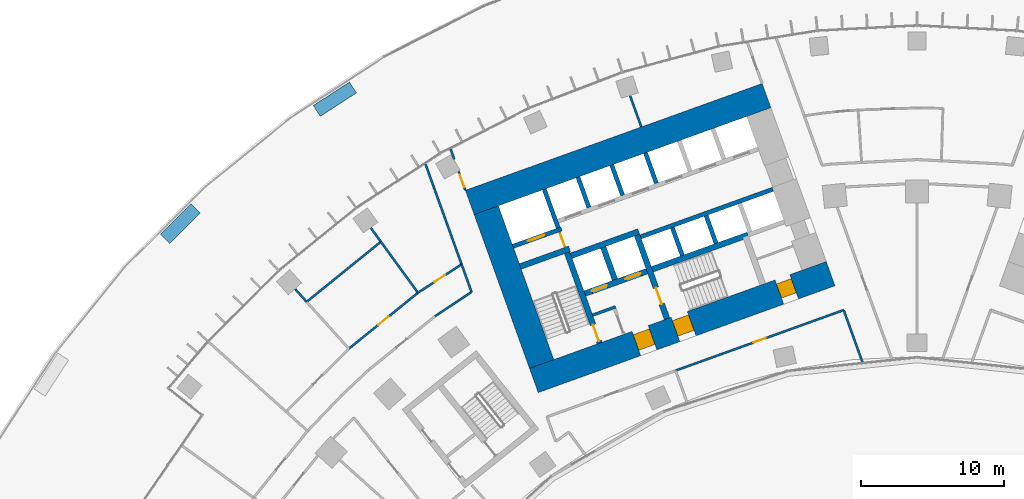
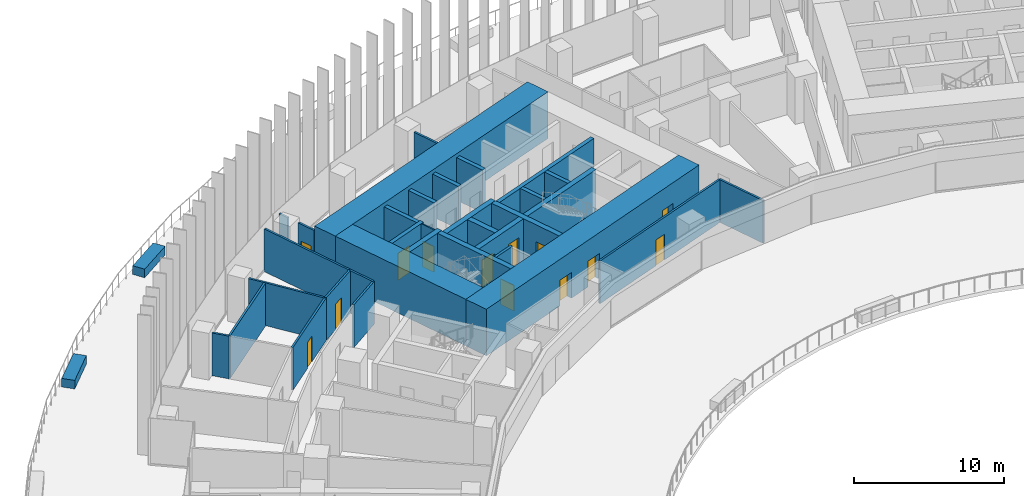
# One storey, part 16 of 24: 35 walls, 13 doors, 13 openings.
"""IFC4 building model written with IfcOpenShell, lengths in metres."""

from ifc_helpers import new_model, si_unit, direction, frame, frame_2d, origin, origin_2d, place, context, subcontext, project, spatial, rectangle, extrude, material, layer, layer_set, type_object, element, fill, save


model = new_model("IFC4")

# Units and contexts
model_context = context("Model", 3, precision=1e-05, world=origin(), true_north=direction((0.0, 1.0)))
body_context = subcontext(model_context, "Body", "Model", "MODEL_VIEW")
ifc_project = project(units=[si_unit("LENGTHUNIT", "METRE"), si_unit("AREAUNIT", "SQUARE_METRE"), si_unit("VOLUMEUNIT", "CUBIC_METRE"), si_unit("PLANEANGLEUNIT", "RADIAN"), si_unit("MASSUNIT", "GRAM", prefix="KILO")], contexts=[model_context])

# Site, building, storey
site_placement = place(None, origin())
site = spatial("IfcSite", under=ifc_project, at=site_placement, CompositionType="ELEMENT")
building_placement = place(site_placement, origin())
building = spatial("IfcBuilding", under=site, at=building_placement, Name="Stone Belt Terrace Tower", CompositionType="ELEMENT")
storey_placement = place(building_placement, frame((0.0, 0.0, 30.0)))
storey = spatial("IfcBuildingStorey", under=building, at=storey_placement, Name="L06", CompositionType="ELEMENT", Elevation=30.0)

# Wall, opening, door
ifc_material_1 = material(Name="Plasterboard partition")
ifc_layer_1 = layer(ifc_material_1, 0.10009765625)
ifc_layer_set_1 = layer_set([ifc_layer_1], Name="Core partition 100")
wall_type_1 = type_object("IfcWallType", Name="Core partition 100", PredefinedType="PARTITIONING", material=ifc_layer_set_1)
wall_1_placement = place(storey_placement, frame((-24.555908203125, 51.10400390625, 0.0), z_axis=(0.0, 0.0, 1.0), x_axis=(-0.338621735342, 0.94092258999, 0.0)))
wall_1 = element("IfcWall", 1, at=wall_1_placement, inside=storey, type_object=wall_type_1, Name="Core A wall", PredefinedType="PARTITIONING", context=body_context, shape_type="SweptSolid", body=[
    extrude(rectangle(XDim=1.14990234375, YDim=0.10009765625, at=frame_2d((0.574951171875, 0.0))), origin(), (0.0, 0.0, 1.0), 3.47998046875),
])
opening_1_placement = place(wall_1_placement, frame((0.050048828125, 0.0, 0.0)))
opening_1 = element("IfcOpeningElement", 2, at=opening_1_placement, cuts=wall_1, Name="Opening L06-C01", PredefinedType="OPENING", context=body_context, shape_type="SweptSolid", body=[
    extrude(rectangle(XDim=1.0, YDim=2.10009765625, at=frame_2d((0.5, 1.050048828125))), frame((0.0, 0.06005859375, 0.0), z_axis=(0.0, -1.0, 0.0), x_axis=(1.0, 0.0, 0.0)), (0.0, 0.0, 1.0), 0.1201171875),
])
ifc_material_2 = material(Name="Timber door leaf", Category="wood")
door_type_1 = type_object("IfcDoorType", Name="Core room door 1000", OperationType="SINGLE_SWING_LEFT", PredefinedType="DOOR", material=ifc_material_2)
door_1_placement = place(opening_1_placement, origin())
door_1 = element("IfcDoor", 3, at=door_1_placement, inside=storey, type_object=door_type_1, Name="Service lift lobby door core A", OperationType="SINGLE_SWING_LEFT", OverallHeight=2.10009765625, OverallWidth=1.0, PredefinedType="DOOR", context=body_context, shape_type="SweptSolid", body=[
    extrude(rectangle(XDim=1.0, YDim=2.10009765625, at=frame_2d((0.5, 1.050048828125))), frame((0.0, 0.02490234375, 0.0), z_axis=(0.0, -1.0, 0.0), x_axis=(1.0, 0.0, 0.0)), (0.0, 0.0, 1.0), 0.050048828125),
])
fill(opening_1, door_1)

# Wall, openings, doors
ifc_material_3 = material(Name="Concrete B80", Category="concrete")
ifc_layer_2 = layer(ifc_material_3, 1.800048828125)
ifc_layer_set_2 = layer_set([ifc_layer_2], Name="Core wall 1800 B80")
wall_type_2 = type_object("IfcWallType", Name="Core wall 1800 B80", PredefinedType="SHEAR", material=ifc_layer_set_2)
wall_2_placement = place(storey_placement, frame((-26.739501953125, 41.815673828125, 0.0), z_axis=(0.0, 0.0, 1.0), x_axis=(0.940921642213, 0.338624368902, 0.0)))
wall_2 = element("IfcWall", 4, at=wall_2_placement, inside=storey, type_object=wall_type_2, Name="Core A wall concave L06", PredefinedType="SHEAR", context=body_context, shape_type="SweptSolid", body=[
    extrude(rectangle(XDim=22.0, YDim=1.800048828125, at=frame_2d((11.0, 0.0))), origin(), (0.0, 0.0, 1.0), 3.800048828125),
])
opening_2_placement = place(wall_2_placement, frame((7.60009765625, 0.0, 0.0)))
opening_2 = element("IfcOpeningElement", 5, at=opening_2_placement, cuts=wall_2, Name="Opening L06-C05", PredefinedType="OPENING", context=body_context, shape_type="SweptSolid", body=[
    extrude(rectangle(XDim=1.199951171875, YDim=2.10009765625, at=frame_2d((0.60009765625, 1.050048828125))), frame((0.0, 0.909912109375, 0.0), z_axis=(0.0, -1.0, 0.0), x_axis=(1.0, 0.0, 0.0)), (0.0, 0.0, 1.0), 1.820068359375),
])
opening_3_placement = place(wall_2_placement, frame((10.5, 0.0, 0.0)))
opening_3 = element("IfcOpeningElement", 6, at=opening_3_placement, cuts=wall_2, Name="Opening L06-C07", PredefinedType="OPENING", context=body_context, shape_type="SweptSolid", body=[
    extrude(rectangle(XDim=1.199951171875, YDim=2.10009765625, at=frame_2d((0.60009765625, 1.050048828125))), frame((0.0, 0.909912109375, 0.0), z_axis=(0.0, -1.0, 0.0), x_axis=(1.0, 0.0, 0.0)), (0.0, 0.0, 1.0), 1.820068359375),
])
opening_4_placement = place(wall_2_placement, frame((18.199951171875, 0.0, 0.0)))
opening_4 = element("IfcOpeningElement", 7, at=opening_4_placement, cuts=wall_2, Name="Opening L06-C09", PredefinedType="OPENING", context=body_context, shape_type="SweptSolid", body=[
    extrude(rectangle(XDim=1.10009765625, YDim=2.10009765625, at=frame_2d((0.550048828125, 1.050048828125))), frame((0.0, 0.909912109375, 0.0), z_axis=(0.0, -1.0, 0.0), x_axis=(1.0, 0.0, 0.0)), (0.0, 0.0, 1.0), 1.820068359375),
])
door_type_2 = type_object("IfcDoorType", Name="Core room door 1100", OperationType="SINGLE_SWING_LEFT", PredefinedType="DOOR", material=ifc_material_2)
door_2_placement = place(opening_4_placement, origin())
door_2 = element("IfcDoor", 8, at=door_2_placement, inside=storey, type_object=door_type_2, Name="Door to Cleaner's store core A", OperationType="SINGLE_SWING_LEFT", OverallHeight=2.10009765625, OverallWidth=1.10009765625, PredefinedType="DOOR", context=body_context, shape_type="SweptSolid", body=[
    extrude(rectangle(XDim=1.10009765625, YDim=2.10009765625, at=frame_2d((0.550048828125, 1.050048828125))), frame((0.0, 0.60498046875, 0.0), z_axis=(0.0, -1.0, 0.0), x_axis=(1.0, 0.0, 0.0)), (0.0, 0.0, 1.0), 1.050048828125),
])
fill(opening_4, door_2)
ifc_material_4 = material(Name="Steel door leaf", Category="steel")
door_type_3 = type_object("IfcDoorType", Name="Fire-fighting lobby door 1200", OperationType="SINGLE_SWING_LEFT", PredefinedType="DOOR", material=ifc_material_4)
door_3_placement = place(opening_2_placement, origin())
door_3 = element("IfcDoor", 9, at=door_3_placement, inside=storey, type_object=door_type_3, Name="Fire-fighting lobby door core A", OperationType="SINGLE_SWING_LEFT", OverallHeight=2.10009765625, OverallWidth=1.199951171875, PredefinedType="DOOR", context=body_context, shape_type="SweptSolid", body=[
    extrude(rectangle(XDim=1.199951171875, YDim=2.10009765625, at=frame_2d((0.60009765625, 1.050048828125))), frame((0.0, 0.655029296875, 0.0), z_axis=(0.0, -1.0, 0.0), x_axis=(1.0, 0.0, 0.0)), (0.0, 0.0, 1.0), 1.14990234375),
])
fill(opening_2, door_3)
door_type_4 = type_object("IfcDoorType", Name="Stair door 1200", OperationType="SINGLE_SWING_LEFT", PredefinedType="DOOR", material=ifc_material_4)
door_4_placement = place(opening_3_placement, origin())
door_4 = element("IfcDoor", 10, at=door_4_placement, inside=storey, type_object=door_type_4, Name="Stair 2 exit door core A", OperationType="SINGLE_SWING_RIGHT", OverallHeight=2.10009765625, OverallWidth=1.199951171875, PredefinedType="DOOR", context=body_context, shape_type="SweptSolid", body=[
    extrude(rectangle(XDim=1.199951171875, YDim=2.10009765625, at=frame_2d((0.60009765625, 1.050048828125))), frame((0.0, 0.655029296875, 0.0), z_axis=(0.0, -1.0, 0.0), x_axis=(1.0, 0.0, 0.0)), (0.0, 0.0, 1.0), 1.14990234375),
])
fill(opening_3, door_4)

# Walls
wall_3_placement = place(storey_placement, frame((-31.20947265625, 54.23583984375, 0.0), z_axis=(0.0, 0.0, 1.0), x_axis=(0.940922914687, 0.338620833112, 0.0)))
element("IfcWall", 11, at=wall_3_placement, inside=storey, type_object=wall_type_2, Name="Core A wall convex L06", PredefinedType="SHEAR", context=body_context, shape_type="SweptSolid", body=[
    extrude(rectangle(XDim=22.000244140625, YDim=1.800048828125, at=frame_2d((11.0, 0.0))), origin(), (0.0, 0.0, 1.0), 3.800048828125),
])
wall_4_placement = place(storey_placement, frame((-26.197509765625, 42.96728515625, 0.0), z_axis=(0.0, 0.0, 1.0), x_axis=(-0.338625431531, 0.940921259788, 0.0)))
element("IfcWall", 12, at=wall_4_placement, inside=storey, type_object=wall_type_2, Name="Core A wall end_a L06", PredefinedType="SHEAR", context=body_context, shape_type="SweptSolid", body=[
    extrude(rectangle(XDim=11.400146484375, YDim=1.800048828125, at=frame_2d((5.7001953125, 0.0))), origin(), (0.0, 0.0, 1.0), 3.800048828125),
])
ifc_layer_3 = layer(ifc_material_3, 0.39990234375)
ifc_layer_set_3 = layer_set([ifc_layer_3], Name="Fire-fighting lift shaft wall 400")
wall_type_3 = type_object("IfcWallType", Name="Fire-fighting lift shaft wall 400", PredefinedType="SHEAR", material=ifc_layer_set_3)
wall_5_placement = place(storey_placement, frame((-24.130615234375, 50.512939453125, 0.0), z_axis=(0.0, 0.0, 1.0), x_axis=(0.94091168377, 0.338652038744, 0.0)))
element("IfcWall", 13, at=wall_5_placement, inside=storey, type_object=wall_type_3, Name="Core A wall", PredefinedType="SHEAR", context=body_context, shape_type="SweptSolid", body=[
    extrude(rectangle(XDim=5.000244140625, YDim=0.39990234375, at=frame_2d((2.5, 0.0))), origin(), (0.0, 0.0, 1.0), 3.47998046875),
])
wall_6_placement = place(storey_placement, frame((-21.0859375, 48.845458984375, 0.0), z_axis=(0.0, 0.0, 1.0), x_axis=(-0.338629416206, 0.940919825745, 0.0)))
element("IfcWall", 14, at=wall_6_placement, inside=storey, type_object=wall_type_3, Name="Core A wall", PredefinedType="SHEAR", context=body_context, shape_type="SweptSolid", body=[
    extrude(rectangle(XDim=2.400146484375, YDim=0.39990234375, at=frame_2d((1.2001953125, 0.0))), origin(), (0.0, 0.0, 1.0), 3.47998046875),
])

# Wall, opening, door
ifc_layer_4 = layer(ifc_material_3, 0.300048828125)
ifc_layer_set_4 = layer_set([ifc_layer_4], Name="Lift shaft wall 300")
wall_type_4 = type_object("IfcWallType", Name="Lift shaft wall 300", PredefinedType="SHEAR", material=ifc_layer_set_4)
wall_7_placement = place(storey_placement, frame((-28.195068359375, 51.17578125, 0.0), z_axis=(0.0, 0.0, 1.0), x_axis=(0.940901243567, 0.338681044427, 0.0)))
wall_7 = element("IfcWall", 15, at=wall_7_placement, inside=storey, type_object=wall_type_4, Name="Core A wall", PredefinedType="SHEAR", context=body_context, shape_type="SweptSolid", body=[
    extrude(rectangle(XDim=3.599853515625, YDim=0.300048828125, at=frame_2d((1.7998046875, 0.0))), origin(), (0.0, 0.0, 1.0), 3.47998046875),
])
opening_5_placement = place(wall_7_placement, frame((1.1201171875, 0.0, 0.0)))
opening_5 = element("IfcOpeningElement", 16, at=opening_5_placement, cuts=wall_7, Name="Opening L06-LD09", PredefinedType="OPENING", context=body_context, shape_type="SweptSolid", body=[
    extrude(rectangle(XDim=1.199951171875, YDim=2.199951171875, at=frame_2d((0.60009765625, 1.10009765625))), frame((0.0, 0.159912109375, 0.0), z_axis=(0.0, -1.0, 0.0), x_axis=(1.0, 0.0, 0.0)), (0.0, 0.0, 1.0), 0.320068359375),
])
ifc_material_5 = material(Name="Stainless steel door leaf", Category="steel")
door_type_5 = type_object("IfcDoorType", Name="Landing door 1200", OperationType="SLIDING_TO_LEFT", PredefinedType="DOOR", material=ifc_material_5)
door_5_placement = place(opening_5_placement, origin())
door_5 = element("IfcDoor", 17, at=door_5_placement, inside=storey, type_object=door_type_5, Name="Landing door SV1 core A", OperationType="SLIDING_TO_LEFT", OverallHeight=2.199951171875, OverallWidth=1.199951171875, PredefinedType="DOOR", context=body_context, shape_type="SweptSolid", body=[
    extrude(rectangle(XDim=1.199951171875, YDim=2.199951171875, at=frame_2d((0.60009765625, 1.10009765625))), frame((0.0, 0.02490234375, 0.0), z_axis=(0.0, -1.0, 0.0), x_axis=(1.0, 0.0, 0.0)), (0.0, 0.0, 1.0), 0.050048828125),
])
fill(opening_5, door_5)

# Walls
wall_8_placement = place(storey_placement, frame((-25.046875, 52.46826171875, 0.0), z_axis=(0.0, 0.0, 1.0), x_axis=(-0.338549588058, 0.940948551423, 0.0)))
element("IfcWall", 18, at=wall_8_placement, inside=storey, type_object=wall_type_4, Name="Core A wall", PredefinedType="SHEAR", context=body_context, shape_type="SweptSolid", body=[
    extrude(rectangle(XDim=2.849853515625, YDim=0.300048828125, at=frame_2d((1.4248046875, 0.0))), origin(), (0.0, 0.0, 1.0), 3.47998046875),
])
wall_9_placement = place(storey_placement, frame((-22.897705078125, 53.87939453125, 0.0), z_axis=(0.0, 0.0, 1.0), x_axis=(-0.338535034312, 0.940953787677, 0.0)))
element("IfcWall", 19, at=wall_9_placement, inside=storey, type_object=wall_type_4, Name="Core A wall", PredefinedType="SHEAR", context=body_context, shape_type="SweptSolid", body=[
    extrude(rectangle(XDim=2.25, YDim=0.300048828125, at=frame_2d((1.125, 0.0))), origin(), (0.0, 0.0, 1.0), 3.47998046875),
])
wall_10_placement = place(storey_placement, frame((-19.29052734375, 51.829833984375, 0.0), z_axis=(0.0, 0.0, 1.0), x_axis=(0.940925833398, 0.338612722803, 0.0)))
element("IfcWall", 20, at=wall_10_placement, inside=storey, type_object=wall_type_4, Name="Core A wall", PredefinedType="SHEAR", context=body_context, shape_type="SweptSolid", body=[
    extrude(rectangle(XDim=9.7998046875, YDim=0.300048828125, at=frame_2d((4.89990234375, 0.0))), origin(), (0.0, 0.0, 1.0), 3.47998046875),
])
wall_11_placement = place(storey_placement, frame((-20.54541015625, 54.72607421875, 0.0), z_axis=(0.0, 0.0, 1.0), x_axis=(-0.338569601369, 0.940941350472, 0.0)))
element("IfcWall", 21, at=wall_11_placement, inside=storey, type_object=wall_type_4, Name="Core A wall", PredefinedType="SHEAR", context=body_context, shape_type="SweptSolid", body=[
    extrude(rectangle(XDim=2.249755859375, YDim=0.300048828125, at=frame_2d((1.125, 0.0))), origin(), (0.0, 0.0, 1.0), 3.47998046875),
])
wall_12_placement = place(storey_placement, frame((-16.38134765625, 50.53857421875, 0.0), z_axis=(0.0, 0.0, 1.0), x_axis=(-0.338681515556, 0.940901073982, 0.0)))
element("IfcWall", 22, at=wall_12_placement, inside=storey, type_object=wall_type_4, Name="Core A wall", PredefinedType="SHEAR", context=body_context, shape_type="SweptSolid", body=[
    extrude(rectangle(XDim=2.050048828125, YDim=0.300048828125, at=frame_2d((1.02490234375, 0.0))), origin(), (0.0, 0.0, 1.0), 3.47998046875),
])
wall_13_placement = place(storey_placement, frame((-18.193115234375, 55.572509765625, 0.0), z_axis=(0.0, 0.0, 1.0), x_axis=(-0.338535034312, 0.940953787677, 0.0)))
element("IfcWall", 23, at=wall_13_placement, inside=storey, type_object=wall_type_4, Name="Core A wall", PredefinedType="SHEAR", context=body_context, shape_type="SweptSolid", body=[
    extrude(rectangle(XDim=2.25, YDim=0.300048828125, at=frame_2d((1.125, 0.0))), origin(), (0.0, 0.0, 1.0), 3.47998046875),
])
wall_14_placement = place(storey_placement, frame((-14.029052734375, 51.38525390625, 0.0), z_axis=(0.0, 0.0, 1.0), x_axis=(-0.338681515556, 0.940901073982, 0.0)))
element("IfcWall", 24, at=wall_14_placement, inside=storey, type_object=wall_type_4, Name="Core A wall", PredefinedType="SHEAR", context=body_context, shape_type="SweptSolid", body=[
    extrude(rectangle(XDim=2.050048828125, YDim=0.300048828125, at=frame_2d((1.02490234375, 0.0))), origin(), (0.0, 0.0, 1.0), 3.47998046875),
])
ifc_material_6 = material(Name="Gypsum board partition")
ifc_layer_5 = layer(ifc_material_6, 0.14990234375)
ifc_layer_set_5 = layer_set([ifc_layer_5], Name="PARTITION 150 EI 60")
wall_type_5 = type_object("IfcWallType", Name="PARTITION 150 EI 60", PredefinedType="PARTITIONING", material=ifc_layer_set_5)
wall_15_placement = place(storey_placement, frame((-32.5458984375, 57.947021484375, 0.0), z_axis=(0.0, 0.0, 1.0), x_axis=(0.339029931965, -0.940775587072, 0.0)))
element("IfcWall", 25, at=wall_15_placement, inside=storey, type_object=wall_type_5, Name="L06/wall/i004", PredefinedType="PARTITIONING", context=body_context, shape_type="SweptSolid", body=[
    extrude(rectangle(XDim=0.751708984375, YDim=0.14990234375, at=frame_2d((0.3759765625, 0.0))), origin(), (0.0, 0.0, 1.0), 3.47998046875),
])

# Wall, opening, door
wall_16_placement = place(storey_placement, frame((-31.987060546875, 56.39599609375, 0.0), z_axis=(0.0, 0.0, 1.0), x_axis=(0.339016784949, -0.940780324796, 0.0)))
wall_16 = element("IfcWall", 26, at=wall_16_placement, inside=storey, type_object=wall_type_5, Name="L06/wall/i005", PredefinedType="PARTITIONING", context=body_context, shape_type="SweptSolid", body=[
    extrude(rectangle(XDim=1.395751953125, YDim=0.14990234375, at=frame_2d((0.69775390625, 0.0))), origin(), (0.0, 0.0, 1.0), 3.47998046875),
])
opening_6_placement = place(wall_16_placement, frame((0.247802734375, 0.0, 0.0)))
opening_6 = element("IfcOpeningElement", 27, at=opening_6_placement, cuts=wall_16, Name="Opening D-A1-03", PredefinedType="OPENING", context=body_context, shape_type="SweptSolid", body=[
    extrude(rectangle(XDim=0.89990234375, YDim=2.10009765625, at=frame_2d((0.449951171875, 1.050048828125))), frame((0.0, 0.0849609375, 0.0), z_axis=(0.0, -1.0, 0.0), x_axis=(1.0, 0.0, 0.0)), (0.0, 0.0, 1.0), 0.169921875),
])
door_type_6 = type_object("IfcDoorType", Name="OFFICE DOOR 900 X 2100", OperationType="NOTDEFINED", PredefinedType="DOOR", material=ifc_material_2)
door_6_placement = place(opening_6_placement, origin())
door_6 = element("IfcDoor", 28, at=door_6_placement, inside=storey, type_object=door_type_6, Name="L06/door/i03", OperationType="SINGLE_SWING_RIGHT", OverallHeight=2.10009765625, OverallWidth=0.89990234375, PredefinedType="DOOR", context=body_context, shape_type="SweptSolid", body=[
    extrude(rectangle(XDim=0.89990234375, YDim=2.10009765625, at=frame_2d((0.449951171875, 1.050048828125))), frame((0.0, 0.02490234375, 0.0), z_axis=(0.0, -1.0, 0.0), x_axis=(1.0, 0.0, 0.0)), (0.0, 0.0, 1.0), 0.050048828125),
])
fill(opening_6, door_6)

# Walls
wall_17_placement = place(storey_placement, frame((-31.083984375, 47.98095703125, 0.0), z_axis=(0.0, 0.0, 1.0), x_axis=(-0.338975203453, 0.940795307941, 0.0)))
element("IfcWall", 29, at=wall_17_placement, inside=storey, type_object=wall_type_5, Name="L06/wall/i007", PredefinedType="PARTITIONING", context=body_context, shape_type="SweptSolid", body=[
    extrude(rectangle(XDim=2.06201171875, YDim=0.14990234375, at=frame_2d((1.031005859375, 0.0))), origin(), (0.0, 0.0, 1.0), 3.47998046875),
])
wall_18_placement = place(storey_placement, frame((-31.779052734375, 49.909912109375, 0.0), z_axis=(0.0, 0.0, 1.0), x_axis=(-0.33867414659, 0.940903726442, 0.0)))
element("IfcWall", 30, at=wall_18_placement, inside=storey, type_object=wall_type_5, Name="L06/wall/i008", PredefinedType="PARTITIONING", context=body_context, shape_type="SweptSolid", body=[
    extrude(rectangle(XDim=7.439453125, YDim=0.14990234375, at=frame_2d((3.7197265625, 0.0))), origin(), (0.0, 0.0, 1.0), 3.47998046875),
])
wall_19_placement = place(storey_placement, frame((-3.819580078125, 43.0986328125, 0.0), z_axis=(0.0, 0.0, 1.0), x_axis=(-0.338659002829, 0.940909177234, 0.0)))
element("IfcWall", 31, at=wall_19_placement, inside=storey, type_object=wall_type_5, Name="L06/wall/i009", PredefinedType="PARTITIONING", context=body_context, shape_type="SweptSolid", body=[
    extrude(rectangle(XDim=3.8603515625, YDim=0.14990234375, at=frame_2d((1.93017578125, 0.0))), origin(), (0.0, 0.0, 1.0), 3.47998046875),
])

# Wall, opening, door
wall_20_placement = place(storey_placement, frame((-5.125, 46.72509765625, 0.0), z_axis=(0.0, 0.0, 1.0), x_axis=(-0.940905380647, -0.338669550844, 0.0)))
wall_20 = element("IfcWall", 32, at=wall_20_placement, inside=storey, type_object=wall_type_5, Name="L06/wall/i015", PredefinedType="PARTITIONING", context=body_context, shape_type="SweptSolid", body=[
    extrude(rectangle(XDim=12.4697265625, YDim=0.14990234375, at=frame_2d((6.23486328125, 0.0))), origin(), (0.0, 0.0, 1.0), 3.47998046875),
])
opening_7_placement = place(wall_20_placement, frame((5.784912109375, 0.0, 0.0)))
opening_7 = element("IfcOpeningElement", 33, at=opening_7_placement, cuts=wall_20, Name="Opening D-A1-02", PredefinedType="OPENING", context=body_context, shape_type="SweptSolid", body=[
    extrude(rectangle(XDim=0.89990234375, YDim=2.10009765625, at=frame_2d((0.449951171875, 1.050048828125))), frame((0.0, 0.0849609375, 0.0), z_axis=(0.0, -1.0, 0.0), x_axis=(1.0, 0.0, 0.0)), (0.0, 0.0, 1.0), 0.169921875),
])
door_7_placement = place(opening_7_placement, origin())
door_7 = element("IfcDoor", 34, at=door_7_placement, inside=storey, type_object=door_type_6, Name="L06/door/i02", OperationType="SINGLE_SWING_RIGHT", OverallHeight=2.10009765625, OverallWidth=0.89990234375, PredefinedType="DOOR", context=body_context, shape_type="SweptSolid", body=[
    extrude(rectangle(XDim=0.89990234375, YDim=2.10009765625, at=frame_2d((0.449951171875, 1.050048828125))), frame((0.0, 0.02490234375, 0.0), z_axis=(0.0, -1.0, 0.0), x_axis=(1.0, 0.0, 0.0)), (0.0, 0.0, 1.0), 0.050048828125),
])
fill(opening_7, door_7)

# Walls
wall_21_placement = place(storey_placement, frame((-20.022216796875, 61.664794921875, 0.0), z_axis=(0.0, 0.0, 1.0), x_axis=(0.338572980458, -0.940940134601, 0.0)))
element("IfcWall", 35, at=wall_21_placement, inside=storey, type_object=wall_type_5, Name="L06/wall/i017", PredefinedType="PARTITIONING", context=body_context, shape_type="SweptSolid", body=[
    extrude(rectangle(XDim=2.3017578125, YDim=0.14990234375, at=frame_2d((1.15087890625, 0.0))), origin(), (0.0, 0.0, 1.0), 3.47998046875),
])
wall_22_placement = place(storey_placement, frame((-33.635986328125, 46.2958984375, 0.0), z_axis=(0.0, 0.0, 1.0), x_axis=(0.833385857539, 0.552691607005, 0.0)))
element("IfcWall", 36, at=wall_22_placement, inside=storey, type_object=wall_type_5, Name="L06/wall/i038", PredefinedType="PARTITIONING", context=body_context, shape_type="SweptSolid", body=[
    extrude(rectangle(XDim=3.059814453125, YDim=0.14990234375, at=frame_2d((1.52978515625, 0.0))), origin(), (0.0, 0.0, 1.0), 3.47998046875),
])

# Wall, opening, door
wall_23_placement = place(storey_placement, frame((-39.64501953125, 44.031005859375, 0.0), z_axis=(0.0, 0.0, 1.0), x_axis=(0.777094493267, 0.629383943658, 0.0)))
wall_23 = element("IfcWall", 37, at=wall_23_placement, inside=storey, type_object=wall_type_5, Name="L06/wall/i047", PredefinedType="PARTITIONING", context=body_context, shape_type="SweptSolid", body=[
    extrude(rectangle(XDim=6.201416015625, YDim=0.14990234375, at=frame_2d((3.1005859375, 0.0))), origin(), (0.0, 0.0, 1.0), 3.47998046875),
])
opening_8_placement = place(wall_23_placement, frame((2.650634765625, 0.0, 0.0)))
opening_8 = element("IfcOpeningElement", 38, at=opening_8_placement, cuts=wall_23, Name="Opening D-A1-14", PredefinedType="OPENING", context=body_context, shape_type="SweptSolid", body=[
    extrude(rectangle(XDim=0.89990234375, YDim=2.10009765625, at=frame_2d((0.449951171875, 1.050048828125))), frame((0.0, 0.0849609375, 0.0), z_axis=(0.0, -1.0, 0.0), x_axis=(1.0, 0.0, 0.0)), (0.0, 0.0, 1.0), 0.169921875),
])
door_8_placement = place(opening_8_placement, origin())
door_8 = element("IfcDoor", 39, at=door_8_placement, inside=storey, type_object=door_type_6, Name="L06/door/i14", OperationType="SINGLE_SWING_RIGHT", OverallHeight=2.10009765625, OverallWidth=0.89990234375, PredefinedType="DOOR", context=body_context, shape_type="SweptSolid", body=[
    extrude(rectangle(XDim=0.89990234375, YDim=2.10009765625, at=frame_2d((0.449951171875, 1.050048828125))), frame((0.0, 0.02490234375, 0.0), z_axis=(0.0, -1.0, 0.0), x_axis=(1.0, 0.0, 0.0)), (0.0, 0.0, 1.0), 0.050048828125),
])
fill(opening_8, door_8)

wall_24_placement = place(storey_placement, frame((-34.825927734375, 47.93408203125, 0.0), z_axis=(0.0, 0.0, 1.0), x_axis=(0.838179507416, 0.545394456653, 0.0)))
wall_24 = element("IfcWall", 40, at=wall_24_placement, inside=storey, type_object=wall_type_5, Name="L06/wall/i048", PredefinedType="PARTITIONING", context=body_context, shape_type="SweptSolid", body=[
    extrude(rectangle(XDim=3.634033203125, YDim=0.14990234375, at=frame_2d((1.81689453125, 0.0))), origin(), (0.0, 0.0, 1.0), 3.47998046875),
])
opening_9_placement = place(wall_24_placement, frame((1.366943359375, 0.0, 0.0)))
opening_9 = element("IfcOpeningElement", 41, at=opening_9_placement, cuts=wall_24, Name="Opening D-A1-15", PredefinedType="OPENING", context=body_context, shape_type="SweptSolid", body=[
    extrude(rectangle(XDim=0.89990234375, YDim=2.10009765625, at=frame_2d((0.449951171875, 1.050048828125))), frame((0.0, 0.0849609375, 0.0), z_axis=(0.0, -1.0, 0.0), x_axis=(1.0, 0.0, 0.0)), (0.0, 0.0, 1.0), 0.169921875),
])
door_9_placement = place(opening_9_placement, origin())
door_9 = element("IfcDoor", 42, at=door_9_placement, inside=storey, type_object=door_type_6, Name="L06/door/i15", OperationType="SINGLE_SWING_RIGHT", OverallHeight=2.10009765625, OverallWidth=0.89990234375, PredefinedType="DOOR", context=body_context, shape_type="SweptSolid", body=[
    extrude(rectangle(XDim=0.89990234375, YDim=2.10009765625, at=frame_2d((0.449951171875, 1.050048828125))), frame((0.0, 0.02490234375, 0.0), z_axis=(0.0, -1.0, 0.0), x_axis=(1.0, 0.0, 0.0)), (0.0, 0.0, 1.0), 0.050048828125),
])
fill(opening_9, door_9)

# Walls
wall_25_placement = place(storey_placement, frame((-43.382080078125, 48.18115234375, 0.0), z_axis=(0.0, 0.0, 1.0), x_axis=(0.669145878726, -0.743131073892, 0.0)))
element("IfcWall", 43, at=wall_25_placement, inside=storey, type_object=wall_type_5, Name="L06/wall/i051", PredefinedType="PARTITIONING", context=body_context, shape_type="SweptSolid", body=[
    extrude(rectangle(XDim=1.191162109375, YDim=0.14990234375, at=frame_2d((0.595703125, 0.0))), origin(), (0.0, 0.0, 1.0), 3.47998046875),
])
wall_26_placement = place(storey_placement, frame((-42.589111328125, 47.301025390625, 0.0), z_axis=(0.0, 0.0, 1.0), x_axis=(0.777172317777, 0.629287842312, 0.0)))
element("IfcWall", 44, at=wall_26_placement, inside=storey, type_object=wall_type_5, Name="L06/wall/i053", PredefinedType="PARTITIONING", context=body_context, shape_type="SweptSolid", body=[
    extrude(rectangle(XDim=6.661376953125, YDim=0.14990234375, at=frame_2d((3.33056640625, 0.0))), origin(), (0.0, 0.0, 1.0), 3.47998046875),
])
wall_27_placement = place(storey_placement, frame((-37.412109375, 51.492919921875, 0.0), z_axis=(0.0, 0.0, 1.0), x_axis=(0.58786477972, -0.808959208344, 0.0)))
element("IfcWall", 45, at=wall_27_placement, inside=storey, type_object=wall_type_5, Name="L06/wall/i054", PredefinedType="PARTITIONING", context=body_context, shape_type="SweptSolid", body=[
    extrude(rectangle(XDim=4.399169921875, YDim=0.14990234375, at=frame_2d((2.19970703125, 0.0))), origin(), (0.0, 0.0, 1.0), 3.47998046875),
])
wall_28_placement = place(storey_placement, frame((-38.1083984375, 52.45166015625, 0.0), z_axis=(0.0, 0.0, 1.0), x_axis=(0.587632515929, -0.809127941813, 0.0)))
element("IfcWall", 46, at=wall_28_placement, inside=storey, type_object=wall_type_5, Name="L06/wall/i055", PredefinedType="PARTITIONING", context=body_context, shape_type="SweptSolid", body=[
    extrude(rectangle(XDim=1.184814453125, YDim=0.14990234375, at=frame_2d((0.59228515625, 0.0))), origin(), (0.0, 0.0, 1.0), 3.47998046875),
])
ifc_material_7 = material(Name="Precast concrete C40/50", Category="concrete")
ifc_layer_6 = layer(ifc_material_7, 0.89990234375)
ifc_layer_set_6 = layer_set([ifc_layer_6], Name="Planter box 900 x 700")
wall_type_6 = type_object("IfcWallType", Name="Planter box 900 x 700", PredefinedType="SOLIDWALL", material=ifc_layer_set_6)
for number, where, z_axis, x_axis, name in (
    (47, (-40.6220703125, 61.434814453125, 0.0), (0.0, 0.0, 1.0), (-0.838670567945, -0.544639035015, 0.0), "PLANTER L06 1"),
    (48, (-51.401123046875, 52.7529296875, 0.0), (0.0, 0.0, 1.0), (-0.707106781187, -0.707106781187, 0.0), "PLANTER L06 2"),
):
    element("IfcWall", number, at=place(storey_placement, frame(where, z_axis=z_axis, x_axis=x_axis)), inside=storey, type_object=wall_type_6, Name=name, PredefinedType="SOLIDWALL", context=body_context, shape_type="SweptSolid", body=[
        extrude(rectangle(XDim=3.0, YDim=0.89990234375, at=origin_2d()), origin(), (0.0, 0.0, 1.0), 0.699951171875),
    ])
ifc_material_8 = material(Name="Concrete masonry block", Category="masonry")
ifc_layer_7 = layer(ifc_material_8, 0.199951171875)
ifc_layer_set_7 = layer_set([ifc_layer_7], Name="Rated lobby wall 200")
wall_type_7 = type_object("IfcWallType", Name="Rated lobby wall 200", PredefinedType="PARTITIONING", material=ifc_layer_set_7)
wall_29_placement = place(storey_placement, frame((-22.640625, 46.373046875, 0.0), z_axis=(0.0, 0.0, 1.0), x_axis=(0.940966110313, 0.338500781747, 0.0)))
element("IfcWall", 49, at=wall_29_placement, inside=storey, type_object=wall_type_7, Name="Core A wall", PredefinedType="PARTITIONING", context=body_context, shape_type="SweptSolid", body=[
    extrude(rectangle(XDim=1.699951171875, YDim=0.199951171875, at=frame_2d((0.85009765625, 0.0))), origin(), (0.0, 0.0, 1.0), 3.47998046875),
])
ifc_layer_8 = layer(ifc_material_3, 0.39990234375)
ifc_layer_set_8 = layer_set([ifc_layer_8], Name="Stair enclosure wall 400")
wall_type_8 = type_object("IfcWallType", Name="Stair enclosure wall 400", PredefinedType="SHEAR", material=ifc_layer_set_8)
wall_30_placement = place(storey_placement, frame((-27.687255859375, 49.764404296875, 0.0), z_axis=(0.0, 0.0, 1.0), x_axis=(0.940918954884, 0.338631835981, 0.0)))
element("IfcWall", 50, at=wall_30_placement, inside=storey, type_object=wall_type_8, Name="Core A wall", PredefinedType="SHEAR", context=body_context, shape_type="SweptSolid", body=[
    extrude(rectangle(XDim=3.650146484375, YDim=0.39990234375, at=frame_2d((1.8251953125, 0.0))), origin(), (0.0, 0.0, 1.0), 3.47998046875),
])

# Wall, opening, door
wall_31_placement = place(storey_placement, frame((-22.151611328125, 44.42333984375, 0.0), z_axis=(0.0, 0.0, 1.0), x_axis=(-0.338625272931, 0.940921316866, 0.0)))
wall_31 = element("IfcWall", 51, at=wall_31_placement, inside=storey, type_object=wall_type_8, Name="Core A wall", PredefinedType="SHEAR", context=body_context, shape_type="SweptSolid", body=[
    extrude(rectangle(XDim=6.699951171875, YDim=0.39990234375, at=frame_2d((3.35009765625, 0.0))), origin(), (0.0, 0.0, 1.0), 3.47998046875),
])
opening_10_placement = place(wall_31_placement, frame((0.14990234375, 0.0, 0.0)))
opening_10 = element("IfcOpeningElement", 52, at=opening_10_placement, cuts=wall_31, Name="Opening L06-C03", PredefinedType="OPENING", context=body_context, shape_type="SweptSolid", body=[
    extrude(rectangle(XDim=1.199951171875, YDim=2.10009765625, at=frame_2d((0.60009765625, 1.050048828125))), frame((0.0, 0.2099609375, 0.0), z_axis=(0.0, -1.0, 0.0), x_axis=(1.0, 0.0, 0.0)), (0.0, 0.0, 1.0), 0.419921875),
])
door_10_placement = place(opening_10_placement, origin())
door_10 = element("IfcDoor", 53, at=door_10_placement, inside=storey, type_object=door_type_4, Name="Stair 1 door core A", OperationType="SINGLE_SWING_LEFT", OverallHeight=2.10009765625, OverallWidth=1.199951171875, PredefinedType="DOOR", context=body_context, shape_type="SweptSolid", body=[
    extrude(rectangle(XDim=1.199951171875, YDim=2.10009765625, at=frame_2d((0.60009765625, 1.050048828125))), frame((0.0, 0.02490234375, 0.0), z_axis=(0.0, -1.0, 0.0), x_axis=(1.0, 0.0, 0.0)), (0.0, 0.0, 1.0), 0.050048828125),
])
fill(opening_10, door_10)

# Wall, openings, doors
wall_32_placement = place(storey_placement, frame((-23.182373046875, 47.87841796875, 0.0), z_axis=(0.0, 0.0, 1.0), x_axis=(0.940921101762, 0.338625870628, 0.0)))
wall_32 = element("IfcWall", 54, at=wall_32_placement, inside=storey, type_object=wall_type_8, Name="Core A wall", PredefinedType="SHEAR", context=body_context, shape_type="SweptSolid", body=[
    extrude(rectangle(XDim=12.10009765625, YDim=0.39990234375, at=frame_2d((6.050048828125, 0.0))), origin(), (0.0, 0.0, 1.0), 3.47998046875),
])
opening_11_placement = place(wall_32_placement, frame((0.52001953125, 0.0, 0.0)))
opening_11 = element("IfcOpeningElement", 55, at=opening_11_placement, cuts=wall_32, Name="Opening L06-LD07", PredefinedType="OPENING", context=body_context, shape_type="SweptSolid", body=[
    extrude(rectangle(XDim=1.10009765625, YDim=2.199951171875, at=frame_2d((0.550048828125, 1.10009765625))), frame((0.0, 0.2099609375, 0.0), z_axis=(0.0, -1.0, 0.0), x_axis=(1.0, 0.0, 0.0)), (0.0, 0.0, 1.0), 0.419921875),
])
opening_12_placement = place(wall_32_placement, frame((3.02001953125, 0.0, 0.0)))
opening_12 = element("IfcOpeningElement", 56, at=opening_12_placement, cuts=wall_32, Name="Opening L06-LD08", PredefinedType="OPENING", context=body_context, shape_type="SweptSolid", body=[
    extrude(rectangle(XDim=1.10009765625, YDim=2.199951171875, at=frame_2d((0.550048828125, 1.10009765625))), frame((0.0, 0.2099609375, 0.0), z_axis=(0.0, -1.0, 0.0), x_axis=(1.0, 0.0, 0.0)), (0.0, 0.0, 1.0), 0.419921875),
])
door_type_7 = type_object("IfcDoorType", Name="Landing door 1100", OperationType="SLIDING_TO_LEFT", PredefinedType="DOOR", material=ifc_material_5)
door_11_placement = place(opening_11_placement, origin())
door_11 = element("IfcDoor", 57, at=door_11_placement, inside=storey, type_object=door_type_7, Name="Landing door FF1 core A", OperationType="SLIDING_TO_LEFT", OverallHeight=2.199951171875, OverallWidth=1.10009765625, PredefinedType="DOOR", context=body_context, shape_type="SweptSolid", body=[
    extrude(rectangle(XDim=1.10009765625, YDim=2.199951171875, at=frame_2d((0.550048828125, 1.10009765625))), frame((0.0, 0.02490234375, 0.0), z_axis=(0.0, -1.0, 0.0), x_axis=(1.0, 0.0, 0.0)), (0.0, 0.0, 1.0), 0.050048828125),
])
fill(opening_11, door_11)
door_12_placement = place(opening_12_placement, origin())
door_12 = element("IfcDoor", 58, at=door_12_placement, inside=storey, type_object=door_type_7, Name="Landing door FF2 core A", OperationType="SLIDING_TO_LEFT", OverallHeight=2.199951171875, OverallWidth=1.10009765625, PredefinedType="DOOR", context=body_context, shape_type="SweptSolid", body=[
    extrude(rectangle(XDim=1.10009765625, YDim=2.199951171875, at=frame_2d((0.550048828125, 1.10009765625))), frame((0.0, 0.02490234375, 0.0), z_axis=(0.0, -1.0, 0.0), x_axis=(1.0, 0.0, 0.0)), (0.0, 0.0, 1.0), 0.050048828125),
])
fill(opening_12, door_12)

# Wall, opening, door
wall_33_placement = place(storey_placement, frame((-17.447021484375, 46.116455078125, 0.0), z_axis=(0.0, 0.0, 1.0), x_axis=(-0.33860791464, 0.940927563707, 0.0)))
wall_33 = element("IfcWall", 59, at=wall_33_placement, inside=storey, type_object=wall_type_8, Name="Core A wall", PredefinedType="SHEAR", context=body_context, shape_type="SweptSolid", body=[
    extrude(rectangle(XDim=6.199951171875, YDim=0.39990234375, at=frame_2d((3.10009765625, 0.0))), origin(), (0.0, 0.0, 1.0), 3.47998046875),
])
opening_13_placement = place(wall_33_placement, frame((1.10009765625, 0.0, 0.0)))
opening_13 = element("IfcOpeningElement", 60, at=opening_13_placement, cuts=wall_33, Name="Opening L06-C06", PredefinedType="OPENING", context=body_context, shape_type="SweptSolid", body=[
    extrude(rectangle(XDim=1.199951171875, YDim=2.10009765625, at=frame_2d((0.60009765625, 1.050048828125))), frame((0.0, 0.2099609375, 0.0), z_axis=(0.0, -1.0, 0.0), x_axis=(1.0, 0.0, 0.0)), (0.0, 0.0, 1.0), 0.419921875),
])
door_13_placement = place(opening_13_placement, origin())
door_13 = element("IfcDoor", 61, at=door_13_placement, inside=storey, type_object=door_type_4, Name="Stair 2 door core A", OperationType="SINGLE_SWING_LEFT", OverallHeight=2.10009765625, OverallWidth=1.199951171875, PredefinedType="DOOR", context=body_context, shape_type="SweptSolid", body=[
    extrude(rectangle(XDim=1.199951171875, YDim=2.10009765625, at=frame_2d((0.60009765625, 1.050048828125))), frame((0.0, 0.02490234375, 0.0), z_axis=(0.0, -1.0, 0.0), x_axis=(1.0, 0.0, 0.0)), (0.0, 0.0, 1.0), 0.050048828125),
])
fill(opening_13, door_13)

save(model, "model.ifc")
